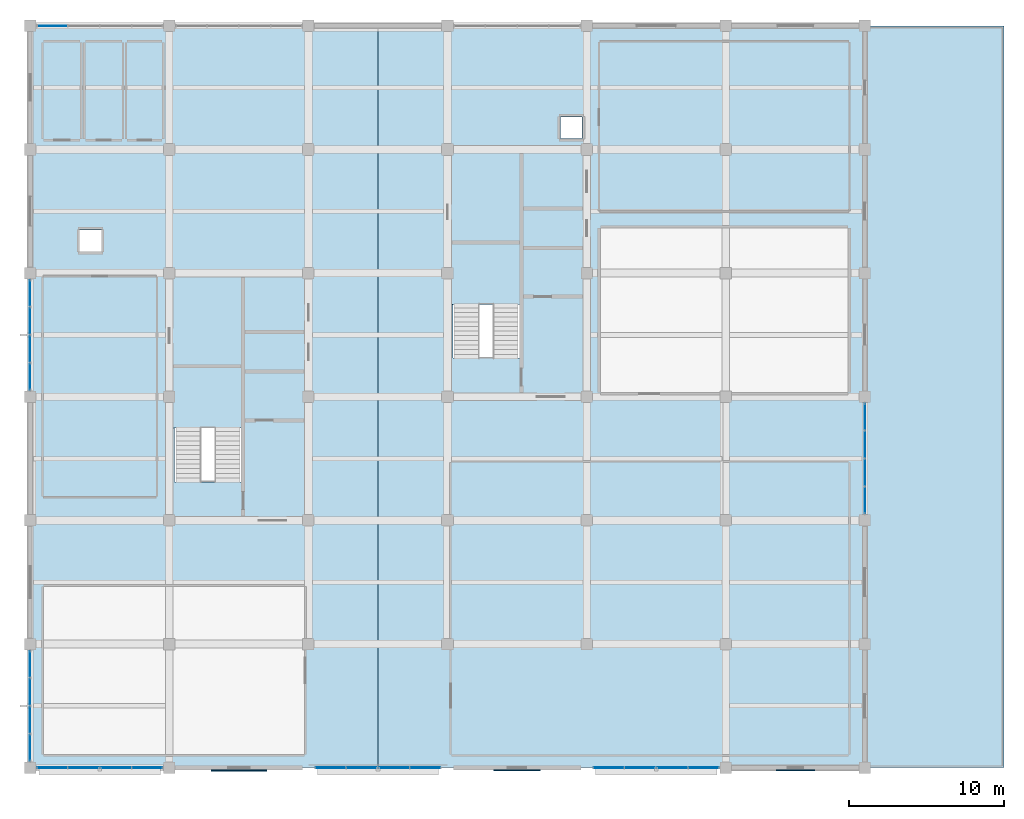
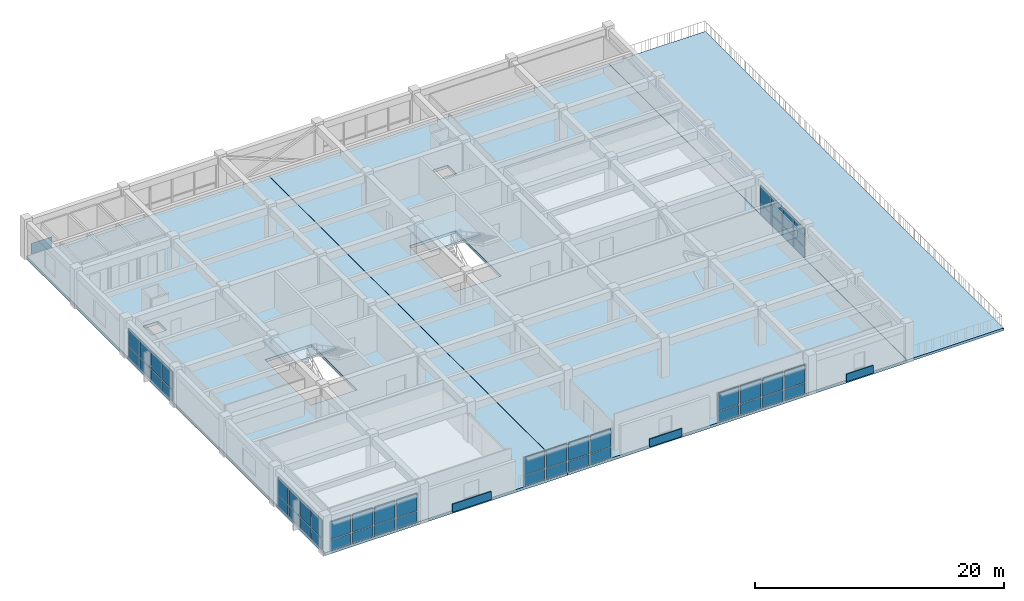
# One storey, part 10 of 15: 52 plates, 5 slabs, 9 elements without a shape of their own.
"""IFC4 building model written with IfcOpenShell, lengths in metres."""

from ifc_helpers import new_model, si_unit, direction, frame, frame_2d, origin, place, context, subcontext, project, spatial, polyline, rectangle, outline, extrude, material, layer, layer_set, type_object, element, aggregate, save


model = new_model("IFC4")

# Units and contexts
model_context = context("Model", 3, precision=1e-05, world=origin(), true_north=direction((0.0, 1.0)))
body_context = subcontext(model_context, "Body", "Model", "MODEL_VIEW")
ifc_project = project(units=[si_unit("LENGTHUNIT", "METRE"), si_unit("AREAUNIT", "SQUARE_METRE"), si_unit("VOLUMEUNIT", "CUBIC_METRE"), si_unit("PLANEANGLEUNIT", "RADIAN"), si_unit("MASSUNIT", "GRAM", prefix="KILO")], contexts=[model_context])

# Site, building, storey
site_placement = place(None, origin())
site = spatial("IfcSite", under=ifc_project, at=site_placement, CompositionType="ELEMENT")
building_placement = place(site_placement, origin())
building = spatial("IfcBuilding", under=site, at=building_placement, Name="Zaverband Oceanarium and Marine Research Institute", CompositionType="ELEMENT")
storey_placement = place(building_placement, frame((0.0, 0.0, 45.300048828125)))
storey = spatial("IfcBuildingStorey", under=building, at=storey_placement, Name="L11", CompositionType="ELEMENT", Elevation=45.300048828125)

# Curtain wall, plates
ifc_material_1 = material(Name="Thermally broken anodized aluminium and solar-control glass", Category="aluminium")
curtain_wall_type = type_object("IfcCurtainWallType", Name="CW-UNIT-1800", PredefinedType="NOTDEFINED", material=ifc_material_1)
curtain_wall_1_placement = place(storey_placement, origin())
curtain_wall_1 = element("IfcCurtainWall", 1, at=curtain_wall_1_placement, inside=storey, type_object=curtain_wall_type, Name="Unitised glazed curtain wall CW-127", PredefinedType="NOTDEFINED")
ifc_material_2 = material(Name="Low-E double-glazed solar-control glass", Category="glass")
ifc_layer_1 = layer(ifc_material_2, 0.033935546875, Name="Low-E double-glazed solar-control glass")
ifc_layer_set_1 = layer_set([ifc_layer_1], Name="Low-E double-glazed solar-control glass")
plate_type_1 = type_object("IfcPlateType", Name="CWP-1570x1043", PredefinedType="CURTAIN_PANEL", material=ifc_layer_set_1)
plate_1_placement = place(storey_placement, frame((9.0, 64.4599609375, 0.050048828125), z_axis=(0.0, 0.0, 1.0), x_axis=(0.0, 1.0, 0.0)))
plate_1 = element("IfcPlate", 2, at=plate_1_placement, type_object=plate_type_1, Name="Glazed curtain wall panel CWP-1570x1043", PredefinedType="CURTAIN_PANEL", context=body_context, shape_type="SweptSolid", body=[
    extrude(rectangle(XDim=1.650146484375, YDim=0.033935546875, at=frame_2d((0.8251953125, 0.0))), origin(), (0.0, 0.0, 1.0), 1.031982421875),
])
plate_2_placement = place(storey_placement, frame((9.0, 66.27001953125, 0.050048828125), z_axis=(0.0, 0.0, 1.0), x_axis=(0.0, 1.0, 0.0)))
plate_2 = element("IfcPlate", 3, at=plate_2_placement, type_object=plate_type_1, Name="Glazed curtain wall panel CWP-1570x1043", PredefinedType="CURTAIN_PANEL", context=body_context, shape_type="SweptSolid", body=[
    extrude(rectangle(XDim=1.64990234375, YDim=0.033935546875, at=frame_2d((0.824951171875, 0.0))), origin(), (0.0, 0.0, 1.0), 1.031982421875),
])
plate_3_placement = place(storey_placement, frame((9.0, 68.080078125, 0.050048828125), z_axis=(0.0, 0.0, 1.0), x_axis=(0.0, 1.0, 0.0)))
plate_3 = element("IfcPlate", 4, at=plate_3_placement, type_object=plate_type_1, Name="Glazed curtain wall panel CWP-1570x1043", PredefinedType="CURTAIN_PANEL", context=body_context, shape_type="SweptSolid", body=[
    extrude(rectangle(XDim=1.64990234375, YDim=0.033935546875, at=frame_2d((0.824951171875, 0.0))), origin(), (0.0, 0.0, 1.0), 1.031982421875),
])
plate_4_placement = place(storey_placement, frame((9.0, 69.889892578125, 0.050048828125), z_axis=(0.0, 0.0, 1.0), x_axis=(0.0, 1.0, 0.0)))
plate_4 = element("IfcPlate", 5, at=plate_4_placement, type_object=plate_type_1, Name="Glazed curtain wall panel CWP-1570x1043", PredefinedType="CURTAIN_PANEL", context=body_context, shape_type="SweptSolid", body=[
    extrude(rectangle(XDim=1.650146484375, YDim=0.033935546875, at=frame_2d((0.8251953125, 0.0))), origin(), (0.0, 0.0, 1.0), 1.031982421875),
])

curtain_wall_2_placement = place(storey_placement, origin())
curtain_wall_2 = element("IfcCurtainWall", 6, at=curtain_wall_2_placement, inside=storey, type_object=curtain_wall_type, Name="Unitised glazed curtain wall CW-128", PredefinedType="NOTDEFINED")
plate_5_placement = place(storey_placement, frame((9.0, 88.4599609375, 0.050048828125), z_axis=(0.0, 0.0, 1.0), x_axis=(0.0, 1.0, 0.0)))
plate_5 = element("IfcPlate", 7, at=plate_5_placement, type_object=plate_type_1, Name="Glazed curtain wall panel CWP-1570x1043", PredefinedType="CURTAIN_PANEL", context=body_context, shape_type="SweptSolid", body=[
    extrude(rectangle(XDim=1.650146484375, YDim=0.033935546875, at=frame_2d((0.8251953125, 0.0))), origin(), (0.0, 0.0, 1.0), 1.031982421875),
])
plate_6_placement = place(storey_placement, frame((9.0, 90.27001953125, 0.050048828125), z_axis=(0.0, 0.0, 1.0), x_axis=(0.0, 1.0, 0.0)))
plate_6 = element("IfcPlate", 8, at=plate_6_placement, type_object=plate_type_1, Name="Glazed curtain wall panel CWP-1570x1043", PredefinedType="CURTAIN_PANEL", context=body_context, shape_type="SweptSolid", body=[
    extrude(rectangle(XDim=1.64990234375, YDim=0.033935546875, at=frame_2d((0.824951171875, 0.0))), origin(), (0.0, 0.0, 1.0), 1.031982421875),
])
plate_7_placement = place(storey_placement, frame((9.0, 92.080078125, 0.050048828125), z_axis=(0.0, 0.0, 1.0), x_axis=(0.0, 1.0, 0.0)))
plate_7 = element("IfcPlate", 9, at=plate_7_placement, type_object=plate_type_1, Name="Glazed curtain wall panel CWP-1570x1043", PredefinedType="CURTAIN_PANEL", context=body_context, shape_type="SweptSolid", body=[
    extrude(rectangle(XDim=1.64990234375, YDim=0.033935546875, at=frame_2d((0.824951171875, 0.0))), origin(), (0.0, 0.0, 1.0), 1.031982421875),
])
plate_8_placement = place(storey_placement, frame((9.0, 93.889892578125, 0.050048828125), z_axis=(0.0, 0.0, 1.0), x_axis=(0.0, 1.0, 0.0)))
plate_8 = element("IfcPlate", 10, at=plate_8_placement, type_object=plate_type_1, Name="Glazed curtain wall panel CWP-1570x1043", PredefinedType="CURTAIN_PANEL", context=body_context, shape_type="SweptSolid", body=[
    extrude(rectangle(XDim=1.650146484375, YDim=0.033935546875, at=frame_2d((0.8251953125, 0.0))), origin(), (0.0, 0.0, 1.0), 1.031982421875),
])

curtain_wall_3_placement = place(storey_placement, origin())
curtain_wall_3 = element("IfcCurtainWall", 11, at=curtain_wall_3_placement, inside=storey, type_object=curtain_wall_type, Name="Unitised glazed curtain wall CW-129", PredefinedType="NOTDEFINED")
plate_9_placement = place(storey_placement, frame((63.0, 80.4599609375, 0.050048828125), z_axis=(0.0, 0.0, 1.0), x_axis=(0.0, 1.0, 0.0)))
plate_9 = element("IfcPlate", 12, at=plate_9_placement, type_object=plate_type_1, Name="Glazed curtain wall panel CWP-1570x1043", PredefinedType="CURTAIN_PANEL", context=body_context, shape_type="SweptSolid", body=[
    extrude(rectangle(XDim=1.650146484375, YDim=0.033935546875, at=frame_2d((0.8251953125, 0.0))), origin(), (0.0, 0.0, 1.0), 1.031982421875),
])
plate_10_placement = place(storey_placement, frame((63.0, 82.27001953125, 0.050048828125), z_axis=(0.0, 0.0, 1.0), x_axis=(0.0, 1.0, 0.0)))
plate_10 = element("IfcPlate", 13, at=plate_10_placement, type_object=plate_type_1, Name="Glazed curtain wall panel CWP-1570x1043", PredefinedType="CURTAIN_PANEL", context=body_context, shape_type="SweptSolid", body=[
    extrude(rectangle(XDim=1.64990234375, YDim=0.033935546875, at=frame_2d((0.824951171875, 0.0))), origin(), (0.0, 0.0, 1.0), 1.031982421875),
])
plate_11_placement = place(storey_placement, frame((63.0, 84.080078125, 0.050048828125), z_axis=(0.0, 0.0, 1.0), x_axis=(0.0, 1.0, 0.0)))
plate_11 = element("IfcPlate", 14, at=plate_11_placement, type_object=plate_type_1, Name="Glazed curtain wall panel CWP-1570x1043", PredefinedType="CURTAIN_PANEL", context=body_context, shape_type="SweptSolid", body=[
    extrude(rectangle(XDim=1.64990234375, YDim=0.033935546875, at=frame_2d((0.824951171875, 0.0))), origin(), (0.0, 0.0, 1.0), 1.031982421875),
])
plate_12_placement = place(storey_placement, frame((63.0, 85.889892578125, 0.050048828125), z_axis=(0.0, 0.0, 1.0), x_axis=(0.0, 1.0, 0.0)))
plate_12 = element("IfcPlate", 15, at=plate_12_placement, type_object=plate_type_1, Name="Glazed curtain wall panel CWP-1570x1043", PredefinedType="CURTAIN_PANEL", context=body_context, shape_type="SweptSolid", body=[
    extrude(rectangle(XDim=1.650146484375, YDim=0.033935546875, at=frame_2d((0.8251953125, 0.0))), origin(), (0.0, 0.0, 1.0), 1.031982421875),
])

# Plate
ifc_layer_2 = layer(ifc_material_2, 0.035888671875, Name="Low-E double-glazed solar-control glass")
ifc_layer_set_2 = layer_set([ifc_layer_2], Name="Low-E double-glazed solar-control glass")
plate_type_2 = type_object("IfcPlateType", Name="CWP-1570x1777", PredefinedType="CURTAIN_PANEL", material=ifc_layer_set_2)
plate_13_placement = place(storey_placement, frame((9.0, 64.4599609375, 1.15185546875), z_axis=(0.0, 0.0, 1.0), x_axis=(0.0, 1.0, 0.0)))
plate_13 = element("IfcPlate", 16, at=plate_13_placement, type_object=plate_type_2, Name="Glazed curtain wall panel CWP-1570x1777", PredefinedType="CURTAIN_PANEL", context=body_context, shape_type="SweptSolid", body=[
    extrude(rectangle(XDim=1.650146484375, YDim=0.035888671875, at=frame_2d((0.8251953125, 0.0))), origin(), (0.0, 0.0, 1.0), 1.758056640625),
])

plate_14_placement = place(storey_placement, frame((9.0, 66.27001953125, 1.15185546875), z_axis=(0.0, 0.0, 1.0), x_axis=(0.0, 1.0, 0.0)))
plate_14 = element("IfcPlate", 17, at=plate_14_placement, type_object=plate_type_2, Name="Glazed curtain wall panel CWP-1570x1777", PredefinedType="CURTAIN_PANEL", context=body_context, shape_type="SweptSolid", body=[
    extrude(rectangle(XDim=1.64990234375, YDim=0.035888671875, at=frame_2d((0.824951171875, 0.0))), origin(), (0.0, 0.0, 1.0), 1.758056640625),
])

plate_15_placement = place(storey_placement, frame((9.0, 68.080078125, 1.15185546875), z_axis=(0.0, 0.0, 1.0), x_axis=(0.0, 1.0, 0.0)))
plate_15 = element("IfcPlate", 18, at=plate_15_placement, type_object=plate_type_2, Name="Glazed curtain wall panel CWP-1570x1777", PredefinedType="CURTAIN_PANEL", context=body_context, shape_type="SweptSolid", body=[
    extrude(rectangle(XDim=1.64990234375, YDim=0.035888671875, at=frame_2d((0.824951171875, 0.0))), origin(), (0.0, 0.0, 1.0), 1.758056640625),
])

plate_16_placement = place(storey_placement, frame((9.0, 69.889892578125, 1.15185546875), z_axis=(0.0, 0.0, 1.0), x_axis=(0.0, 1.0, 0.0)))
plate_16 = element("IfcPlate", 19, at=plate_16_placement, type_object=plate_type_2, Name="Glazed curtain wall panel CWP-1570x1777", PredefinedType="CURTAIN_PANEL", context=body_context, shape_type="SweptSolid", body=[
    extrude(rectangle(XDim=1.650146484375, YDim=0.035888671875, at=frame_2d((0.8251953125, 0.0))), origin(), (0.0, 0.0, 1.0), 1.758056640625),
])

aggregate(curtain_wall_1, [plate_1, plate_13, plate_2, plate_14, plate_3, plate_15, plate_4, plate_16])

plate_17_placement = place(storey_placement, frame((9.0, 88.4599609375, 1.15185546875), z_axis=(0.0, 0.0, 1.0), x_axis=(0.0, 1.0, 0.0)))
plate_17 = element("IfcPlate", 20, at=plate_17_placement, type_object=plate_type_2, Name="Glazed curtain wall panel CWP-1570x1777", PredefinedType="CURTAIN_PANEL", context=body_context, shape_type="SweptSolid", body=[
    extrude(rectangle(XDim=1.650146484375, YDim=0.035888671875, at=frame_2d((0.8251953125, 0.0))), origin(), (0.0, 0.0, 1.0), 1.758056640625),
])

plate_18_placement = place(storey_placement, frame((9.0, 90.27001953125, 1.15185546875), z_axis=(0.0, 0.0, 1.0), x_axis=(0.0, 1.0, 0.0)))
plate_18 = element("IfcPlate", 21, at=plate_18_placement, type_object=plate_type_2, Name="Glazed curtain wall panel CWP-1570x1777", PredefinedType="CURTAIN_PANEL", context=body_context, shape_type="SweptSolid", body=[
    extrude(rectangle(XDim=1.64990234375, YDim=0.035888671875, at=frame_2d((0.824951171875, 0.0))), origin(), (0.0, 0.0, 1.0), 1.758056640625),
])

plate_19_placement = place(storey_placement, frame((9.0, 92.080078125, 1.15185546875), z_axis=(0.0, 0.0, 1.0), x_axis=(0.0, 1.0, 0.0)))
plate_19 = element("IfcPlate", 22, at=plate_19_placement, type_object=plate_type_2, Name="Glazed curtain wall panel CWP-1570x1777", PredefinedType="CURTAIN_PANEL", context=body_context, shape_type="SweptSolid", body=[
    extrude(rectangle(XDim=1.64990234375, YDim=0.035888671875, at=frame_2d((0.824951171875, 0.0))), origin(), (0.0, 0.0, 1.0), 1.758056640625),
])

plate_20_placement = place(storey_placement, frame((9.0, 93.889892578125, 1.15185546875), z_axis=(0.0, 0.0, 1.0), x_axis=(0.0, 1.0, 0.0)))
plate_20 = element("IfcPlate", 23, at=plate_20_placement, type_object=plate_type_2, Name="Glazed curtain wall panel CWP-1570x1777", PredefinedType="CURTAIN_PANEL", context=body_context, shape_type="SweptSolid", body=[
    extrude(rectangle(XDim=1.650146484375, YDim=0.035888671875, at=frame_2d((0.8251953125, 0.0))), origin(), (0.0, 0.0, 1.0), 1.758056640625),
])

aggregate(curtain_wall_2, [plate_5, plate_17, plate_6, plate_18, plate_7, plate_19, plate_8, plate_20])

plate_21_placement = place(storey_placement, frame((63.0, 80.4599609375, 1.15185546875), z_axis=(0.0, 0.0, 1.0), x_axis=(0.0, 1.0, 0.0)))
plate_21 = element("IfcPlate", 24, at=plate_21_placement, type_object=plate_type_2, Name="Glazed curtain wall panel CWP-1570x1777", PredefinedType="CURTAIN_PANEL", context=body_context, shape_type="SweptSolid", body=[
    extrude(rectangle(XDim=1.650146484375, YDim=0.035888671875, at=frame_2d((0.8251953125, 0.0))), origin(), (0.0, 0.0, 1.0), 1.758056640625),
])

plate_22_placement = place(storey_placement, frame((63.0, 82.27001953125, 1.15185546875), z_axis=(0.0, 0.0, 1.0), x_axis=(0.0, 1.0, 0.0)))
plate_22 = element("IfcPlate", 25, at=plate_22_placement, type_object=plate_type_2, Name="Glazed curtain wall panel CWP-1570x1777", PredefinedType="CURTAIN_PANEL", context=body_context, shape_type="SweptSolid", body=[
    extrude(rectangle(XDim=1.64990234375, YDim=0.035888671875, at=frame_2d((0.824951171875, 0.0))), origin(), (0.0, 0.0, 1.0), 1.758056640625),
])

plate_23_placement = place(storey_placement, frame((63.0, 84.080078125, 1.15185546875), z_axis=(0.0, 0.0, 1.0), x_axis=(0.0, 1.0, 0.0)))
plate_23 = element("IfcPlate", 26, at=plate_23_placement, type_object=plate_type_2, Name="Glazed curtain wall panel CWP-1570x1777", PredefinedType="CURTAIN_PANEL", context=body_context, shape_type="SweptSolid", body=[
    extrude(rectangle(XDim=1.64990234375, YDim=0.035888671875, at=frame_2d((0.824951171875, 0.0))), origin(), (0.0, 0.0, 1.0), 1.758056640625),
])

plate_24_placement = place(storey_placement, frame((63.0, 85.889892578125, 1.15185546875), z_axis=(0.0, 0.0, 1.0), x_axis=(0.0, 1.0, 0.0)))
plate_24 = element("IfcPlate", 27, at=plate_24_placement, type_object=plate_type_2, Name="Glazed curtain wall panel CWP-1570x1777", PredefinedType="CURTAIN_PANEL", context=body_context, shape_type="SweptSolid", body=[
    extrude(rectangle(XDim=1.650146484375, YDim=0.035888671875, at=frame_2d((0.8251953125, 0.0))), origin(), (0.0, 0.0, 1.0), 1.758056640625),
])

aggregate(curtain_wall_3, [plate_9, plate_21, plate_10, plate_22, plate_11, plate_23, plate_12, plate_24])

# Curtain wall, plates
curtain_wall_4_placement = place(storey_placement, origin())
curtain_wall_4 = element("IfcCurtainWall", 28, at=curtain_wall_4_placement, inside=storey, type_object=curtain_wall_type, Name="Unitised glazed curtain wall CW-121", PredefinedType="NOTDEFINED")
ifc_layer_3 = layer(ifc_material_2, 0.033935546875, Name="Low-E double-glazed solar-control glass")
ifc_layer_set_3 = layer_set([ifc_layer_3], Name="Low-E double-glazed solar-control glass")
plate_type_3 = type_object("IfcPlateType", Name="CWP-1820x1043", PredefinedType="CURTAIN_PANEL", material=ifc_layer_set_3)
plate_25_placement = place(storey_placement, frame((9.4599609375, 64.0, 0.050048828125), z_axis=(0.0, 0.0, 1.0), x_axis=(1.0, 0.0, 0.0)))
plate_25 = element("IfcPlate", 29, at=plate_25_placement, type_object=plate_type_3, Name="Glazed curtain wall panel CWP-1820x1043", PredefinedType="CURTAIN_PANEL", context=body_context, shape_type="SweptSolid", body=[
    extrude(rectangle(XDim=1.900146484375, YDim=0.033935546875, at=frame_2d((0.9501953125, 0.0))), origin(), (0.0, 0.0, 1.0), 1.031982421875),
])
plate_26_placement = place(storey_placement, frame((11.52001953125, 64.0, 0.050048828125), z_axis=(0.0, 0.0, 1.0), x_axis=(1.0, 0.0, 0.0)))
plate_26 = element("IfcPlate", 30, at=plate_26_placement, type_object=plate_type_3, Name="Glazed curtain wall panel CWP-1820x1043", PredefinedType="CURTAIN_PANEL", context=body_context, shape_type="SweptSolid", body=[
    extrude(rectangle(XDim=1.89990234375, YDim=0.033935546875, at=frame_2d((0.949951171875, 0.0))), origin(), (0.0, 0.0, 1.0), 1.031982421875),
])
plate_27_placement = place(storey_placement, frame((13.580078125, 64.0, 0.050048828125), z_axis=(0.0, 0.0, 1.0), x_axis=(1.0, 0.0, 0.0)))
plate_27 = element("IfcPlate", 31, at=plate_27_placement, type_object=plate_type_3, Name="Glazed curtain wall panel CWP-1820x1043", PredefinedType="CURTAIN_PANEL", context=body_context, shape_type="SweptSolid", body=[
    extrude(rectangle(XDim=1.89990234375, YDim=0.033935546875, at=frame_2d((0.949951171875, 0.0))), origin(), (0.0, 0.0, 1.0), 1.031982421875),
])
plate_28_placement = place(storey_placement, frame((15.639892578125, 64.0, 0.050048828125), z_axis=(0.0, 0.0, 1.0), x_axis=(1.0, 0.0, 0.0)))
plate_28 = element("IfcPlate", 32, at=plate_28_placement, type_object=plate_type_3, Name="Glazed curtain wall panel CWP-1820x1043", PredefinedType="CURTAIN_PANEL", context=body_context, shape_type="SweptSolid", body=[
    extrude(rectangle(XDim=1.900146484375, YDim=0.033935546875, at=frame_2d((0.9501953125, 0.0))), origin(), (0.0, 0.0, 1.0), 1.031982421875),
])

curtain_wall_5_placement = place(storey_placement, origin())
curtain_wall_5 = element("IfcCurtainWall", 33, at=curtain_wall_5_placement, inside=storey, type_object=curtain_wall_type, Name="Unitised glazed curtain wall CW-122", PredefinedType="NOTDEFINED")
plate_29_placement = place(storey_placement, frame((27.4599609375, 64.0, 0.050048828125), z_axis=(0.0, 0.0, 1.0), x_axis=(1.0, 0.0, 0.0)))
plate_29 = element("IfcPlate", 34, at=plate_29_placement, type_object=plate_type_3, Name="Glazed curtain wall panel CWP-1820x1043", PredefinedType="CURTAIN_PANEL", context=body_context, shape_type="SweptSolid", body=[
    extrude(rectangle(XDim=1.900146484375, YDim=0.033935546875, at=frame_2d((0.9501953125, 0.0))), origin(), (0.0, 0.0, 1.0), 1.031982421875),
])
plate_30_placement = place(storey_placement, frame((29.52001953125, 64.0, 0.050048828125), z_axis=(0.0, 0.0, 1.0), x_axis=(1.0, 0.0, 0.0)))
plate_30 = element("IfcPlate", 35, at=plate_30_placement, type_object=plate_type_3, Name="Glazed curtain wall panel CWP-1820x1043", PredefinedType="CURTAIN_PANEL", context=body_context, shape_type="SweptSolid", body=[
    extrude(rectangle(XDim=1.89990234375, YDim=0.033935546875, at=frame_2d((0.949951171875, 0.0))), origin(), (0.0, 0.0, 1.0), 1.031982421875),
])
plate_31_placement = place(storey_placement, frame((31.580078125, 64.0, 0.050048828125), z_axis=(0.0, 0.0, 1.0), x_axis=(1.0, 0.0, 0.0)))
plate_31 = element("IfcPlate", 36, at=plate_31_placement, type_object=plate_type_3, Name="Glazed curtain wall panel CWP-1820x1043", PredefinedType="CURTAIN_PANEL", context=body_context, shape_type="SweptSolid", body=[
    extrude(rectangle(XDim=1.89990234375, YDim=0.033935546875, at=frame_2d((0.949951171875, 0.0))), origin(), (0.0, 0.0, 1.0), 1.031982421875),
])
plate_32_placement = place(storey_placement, frame((33.639892578125, 64.0, 0.050048828125), z_axis=(0.0, 0.0, 1.0), x_axis=(1.0, 0.0, 0.0)))
plate_32 = element("IfcPlate", 37, at=plate_32_placement, type_object=plate_type_3, Name="Glazed curtain wall panel CWP-1820x1043", PredefinedType="CURTAIN_PANEL", context=body_context, shape_type="SweptSolid", body=[
    extrude(rectangle(XDim=1.900146484375, YDim=0.033935546875, at=frame_2d((0.9501953125, 0.0))), origin(), (0.0, 0.0, 1.0), 1.031982421875),
])

curtain_wall_6_placement = place(storey_placement, origin())
curtain_wall_6 = element("IfcCurtainWall", 38, at=curtain_wall_6_placement, inside=storey, type_object=curtain_wall_type, Name="Unitised glazed curtain wall CW-123", PredefinedType="NOTDEFINED")
plate_33_placement = place(storey_placement, frame((45.4599609375, 64.0, 0.050048828125), z_axis=(0.0, 0.0, 1.0), x_axis=(1.0, 0.0, 0.0)))
plate_33 = element("IfcPlate", 39, at=plate_33_placement, type_object=plate_type_3, Name="Glazed curtain wall panel CWP-1820x1043", PredefinedType="CURTAIN_PANEL", context=body_context, shape_type="SweptSolid", body=[
    extrude(rectangle(XDim=1.900146484375, YDim=0.033935546875, at=frame_2d((0.9501953125, 0.0))), origin(), (0.0, 0.0, 1.0), 1.031982421875),
])
plate_34_placement = place(storey_placement, frame((47.52001953125, 64.0, 0.050048828125), z_axis=(0.0, 0.0, 1.0), x_axis=(1.0, 0.0, 0.0)))
plate_34 = element("IfcPlate", 40, at=plate_34_placement, type_object=plate_type_3, Name="Glazed curtain wall panel CWP-1820x1043", PredefinedType="CURTAIN_PANEL", context=body_context, shape_type="SweptSolid", body=[
    extrude(rectangle(XDim=1.89990234375, YDim=0.033935546875, at=frame_2d((0.949951171875, 0.0))), origin(), (0.0, 0.0, 1.0), 1.031982421875),
])
plate_35_placement = place(storey_placement, frame((49.580078125, 64.0, 0.050048828125), z_axis=(0.0, 0.0, 1.0), x_axis=(1.0, 0.0, 0.0)))
plate_35 = element("IfcPlate", 41, at=plate_35_placement, type_object=plate_type_3, Name="Glazed curtain wall panel CWP-1820x1043", PredefinedType="CURTAIN_PANEL", context=body_context, shape_type="SweptSolid", body=[
    extrude(rectangle(XDim=1.89990234375, YDim=0.033935546875, at=frame_2d((0.949951171875, 0.0))), origin(), (0.0, 0.0, 1.0), 1.031982421875),
])
plate_36_placement = place(storey_placement, frame((51.639892578125, 64.0, 0.050048828125), z_axis=(0.0, 0.0, 1.0), x_axis=(1.0, 0.0, 0.0)))
plate_36 = element("IfcPlate", 42, at=plate_36_placement, type_object=plate_type_3, Name="Glazed curtain wall panel CWP-1820x1043", PredefinedType="CURTAIN_PANEL", context=body_context, shape_type="SweptSolid", body=[
    extrude(rectangle(XDim=1.900146484375, YDim=0.033935546875, at=frame_2d((0.9501953125, 0.0))), origin(), (0.0, 0.0, 1.0), 1.031982421875),
])

# Curtain wall, plate
curtain_wall_7_placement = place(storey_placement, origin())
curtain_wall_7 = element("IfcCurtainWall", 43, at=curtain_wall_7_placement, inside=storey, type_object=curtain_wall_type, Name="Unitised glazed curtain wall CW-124", PredefinedType="NOTDEFINED")
plate_37_placement = place(storey_placement, frame((9.4599609375, 112.0, 0.050048828125), z_axis=(0.0, 0.0, 1.0), x_axis=(1.0, 0.0, 0.0)))
plate_37 = element("IfcPlate", 44, at=plate_37_placement, type_object=plate_type_3, Name="Glazed curtain wall panel CWP-1820x1043", PredefinedType="CURTAIN_PANEL", context=body_context, shape_type="SweptSolid", body=[
    extrude(rectangle(XDim=1.900146484375, YDim=0.033935546875, at=frame_2d((0.9501953125, 0.0))), origin(), (0.0, 0.0, 1.0), 1.031982421875),
])
aggregate(curtain_wall_7, [plate_37])

# Plate
ifc_layer_4 = layer(ifc_material_2, 0.035888671875, Name="Low-E double-glazed solar-control glass")
ifc_layer_set_4 = layer_set([ifc_layer_4], Name="Low-E double-glazed solar-control glass")
plate_type_4 = type_object("IfcPlateType", Name="CWP-1820x1777", PredefinedType="CURTAIN_PANEL", material=ifc_layer_set_4)
plate_38_placement = place(storey_placement, frame((9.4599609375, 64.0, 1.15185546875), z_axis=(0.0, 0.0, 1.0), x_axis=(1.0, 0.0, 0.0)))
plate_38 = element("IfcPlate", 45, at=plate_38_placement, type_object=plate_type_4, Name="Glazed curtain wall panel CWP-1820x1777", PredefinedType="CURTAIN_PANEL", context=body_context, shape_type="SweptSolid", body=[
    extrude(rectangle(XDim=1.900146484375, YDim=0.035888671875, at=frame_2d((0.9501953125, 0.0))), origin(), (0.0, 0.0, 1.0), 1.758056640625),
])

plate_39_placement = place(storey_placement, frame((11.52001953125, 64.0, 1.15185546875), z_axis=(0.0, 0.0, 1.0), x_axis=(1.0, 0.0, 0.0)))
plate_39 = element("IfcPlate", 46, at=plate_39_placement, type_object=plate_type_4, Name="Glazed curtain wall panel CWP-1820x1777", PredefinedType="CURTAIN_PANEL", context=body_context, shape_type="SweptSolid", body=[
    extrude(rectangle(XDim=1.89990234375, YDim=0.035888671875, at=frame_2d((0.949951171875, 0.0))), origin(), (0.0, 0.0, 1.0), 1.758056640625),
])

plate_40_placement = place(storey_placement, frame((13.580078125, 64.0, 1.15185546875), z_axis=(0.0, 0.0, 1.0), x_axis=(1.0, 0.0, 0.0)))
plate_40 = element("IfcPlate", 47, at=plate_40_placement, type_object=plate_type_4, Name="Glazed curtain wall panel CWP-1820x1777", PredefinedType="CURTAIN_PANEL", context=body_context, shape_type="SweptSolid", body=[
    extrude(rectangle(XDim=1.89990234375, YDim=0.035888671875, at=frame_2d((0.949951171875, 0.0))), origin(), (0.0, 0.0, 1.0), 1.758056640625),
])

plate_41_placement = place(storey_placement, frame((15.639892578125, 64.0, 1.15185546875), z_axis=(0.0, 0.0, 1.0), x_axis=(1.0, 0.0, 0.0)))
plate_41 = element("IfcPlate", 48, at=plate_41_placement, type_object=plate_type_4, Name="Glazed curtain wall panel CWP-1820x1777", PredefinedType="CURTAIN_PANEL", context=body_context, shape_type="SweptSolid", body=[
    extrude(rectangle(XDim=1.900146484375, YDim=0.035888671875, at=frame_2d((0.9501953125, 0.0))), origin(), (0.0, 0.0, 1.0), 1.758056640625),
])

aggregate(curtain_wall_4, [plate_25, plate_38, plate_26, plate_39, plate_27, plate_40, plate_28, plate_41])

plate_42_placement = place(storey_placement, frame((27.4599609375, 64.0, 1.15185546875), z_axis=(0.0, 0.0, 1.0), x_axis=(1.0, 0.0, 0.0)))
plate_42 = element("IfcPlate", 49, at=plate_42_placement, type_object=plate_type_4, Name="Glazed curtain wall panel CWP-1820x1777", PredefinedType="CURTAIN_PANEL", context=body_context, shape_type="SweptSolid", body=[
    extrude(rectangle(XDim=1.900146484375, YDim=0.035888671875, at=frame_2d((0.9501953125, 0.0))), origin(), (0.0, 0.0, 1.0), 1.758056640625),
])

plate_43_placement = place(storey_placement, frame((29.52001953125, 64.0, 1.15185546875), z_axis=(0.0, 0.0, 1.0), x_axis=(1.0, 0.0, 0.0)))
plate_43 = element("IfcPlate", 50, at=plate_43_placement, type_object=plate_type_4, Name="Glazed curtain wall panel CWP-1820x1777", PredefinedType="CURTAIN_PANEL", context=body_context, shape_type="SweptSolid", body=[
    extrude(rectangle(XDim=1.89990234375, YDim=0.035888671875, at=frame_2d((0.949951171875, 0.0))), origin(), (0.0, 0.0, 1.0), 1.758056640625),
])

plate_44_placement = place(storey_placement, frame((31.580078125, 64.0, 1.15185546875), z_axis=(0.0, 0.0, 1.0), x_axis=(1.0, 0.0, 0.0)))
plate_44 = element("IfcPlate", 51, at=plate_44_placement, type_object=plate_type_4, Name="Glazed curtain wall panel CWP-1820x1777", PredefinedType="CURTAIN_PANEL", context=body_context, shape_type="SweptSolid", body=[
    extrude(rectangle(XDim=1.89990234375, YDim=0.035888671875, at=frame_2d((0.949951171875, 0.0))), origin(), (0.0, 0.0, 1.0), 1.758056640625),
])

plate_45_placement = place(storey_placement, frame((33.639892578125, 64.0, 1.15185546875), z_axis=(0.0, 0.0, 1.0), x_axis=(1.0, 0.0, 0.0)))
plate_45 = element("IfcPlate", 52, at=plate_45_placement, type_object=plate_type_4, Name="Glazed curtain wall panel CWP-1820x1777", PredefinedType="CURTAIN_PANEL", context=body_context, shape_type="SweptSolid", body=[
    extrude(rectangle(XDim=1.900146484375, YDim=0.035888671875, at=frame_2d((0.9501953125, 0.0))), origin(), (0.0, 0.0, 1.0), 1.758056640625),
])

aggregate(curtain_wall_5, [plate_29, plate_42, plate_30, plate_43, plate_31, plate_44, plate_32, plate_45])

plate_46_placement = place(storey_placement, frame((45.4599609375, 64.0, 1.15185546875), z_axis=(0.0, 0.0, 1.0), x_axis=(1.0, 0.0, 0.0)))
plate_46 = element("IfcPlate", 53, at=plate_46_placement, type_object=plate_type_4, Name="Glazed curtain wall panel CWP-1820x1777", PredefinedType="CURTAIN_PANEL", context=body_context, shape_type="SweptSolid", body=[
    extrude(rectangle(XDim=1.900146484375, YDim=0.035888671875, at=frame_2d((0.9501953125, 0.0))), origin(), (0.0, 0.0, 1.0), 1.758056640625),
])

plate_47_placement = place(storey_placement, frame((47.52001953125, 64.0, 1.15185546875), z_axis=(0.0, 0.0, 1.0), x_axis=(1.0, 0.0, 0.0)))
plate_47 = element("IfcPlate", 54, at=plate_47_placement, type_object=plate_type_4, Name="Glazed curtain wall panel CWP-1820x1777", PredefinedType="CURTAIN_PANEL", context=body_context, shape_type="SweptSolid", body=[
    extrude(rectangle(XDim=1.89990234375, YDim=0.035888671875, at=frame_2d((0.949951171875, 0.0))), origin(), (0.0, 0.0, 1.0), 1.758056640625),
])

plate_48_placement = place(storey_placement, frame((49.580078125, 64.0, 1.15185546875), z_axis=(0.0, 0.0, 1.0), x_axis=(1.0, 0.0, 0.0)))
plate_48 = element("IfcPlate", 55, at=plate_48_placement, type_object=plate_type_4, Name="Glazed curtain wall panel CWP-1820x1777", PredefinedType="CURTAIN_PANEL", context=body_context, shape_type="SweptSolid", body=[
    extrude(rectangle(XDim=1.89990234375, YDim=0.035888671875, at=frame_2d((0.949951171875, 0.0))), origin(), (0.0, 0.0, 1.0), 1.758056640625),
])

plate_49_placement = place(storey_placement, frame((51.639892578125, 64.0, 1.15185546875), z_axis=(0.0, 0.0, 1.0), x_axis=(1.0, 0.0, 0.0)))
plate_49 = element("IfcPlate", 56, at=plate_49_placement, type_object=plate_type_4, Name="Glazed curtain wall panel CWP-1820x1777", PredefinedType="CURTAIN_PANEL", context=body_context, shape_type="SweptSolid", body=[
    extrude(rectangle(XDim=1.900146484375, YDim=0.035888671875, at=frame_2d((0.9501953125, 0.0))), origin(), (0.0, 0.0, 1.0), 1.758056640625),
])

aggregate(curtain_wall_6, [plate_33, plate_46, plate_34, plate_47, plate_35, plate_48, plate_36, plate_49])

# Plates
ifc_material_3 = material(Name="Concrete C40/50 precast ochre", Category="concrete")
ifc_layer_5 = layer(ifc_material_3, 0.074951171875, Name="Concrete C40/50 precast ochre")
ifc_layer_set_5 = layer_set([ifc_layer_5], Name="Concrete C40/50 precast ochre")
plate_type_5 = type_object("IfcPlateType", Name="FRP-2500x750", PredefinedType="USERDEFINED", material=ifc_layer_set_5)
plate_50_placement = place(storey_placement, frame((57.25, 63.83251953125, 0.0), z_axis=(0.0, 0.0, 1.0), x_axis=(1.0, 0.0, 0.0)))
element("IfcPlate", 57, at=plate_50_placement, inside=storey, type_object=plate_type_5, Name="Geometric precast facade cladding panel FRP-2500x750", ObjectType="FLANGE_PLATE", PredefinedType="USERDEFINED", context=body_context, shape_type="SweptSolid", body=[
    extrude(rectangle(XDim=2.5, YDim=0.074951171875, at=frame_2d((1.25, 0.0))), origin(), (0.0, 0.0, 1.0), 0.75),
])
ifc_layer_6 = layer(ifc_material_3, 0.080078125, Name="Concrete C40/50 precast ochre")
ifc_layer_set_6 = layer_set([ifc_layer_6], Name="Concrete C40/50 precast ochre")
plate_type_6 = type_object("IfcPlateType", Name="FRP-3000x780", PredefinedType="USERDEFINED", material=ifc_layer_set_6)
plate_51_placement = place(storey_placement, frame((39.0, 63.830078125, 0.0), z_axis=(0.0, 0.0, 1.0), x_axis=(1.0, 0.0, 0.0)))
element("IfcPlate", 58, at=plate_51_placement, inside=storey, type_object=plate_type_6, Name="Geometric precast facade cladding panel FRP-3000x780", ObjectType="FLANGE_PLATE", PredefinedType="USERDEFINED", context=body_context, shape_type="SweptSolid", body=[
    extrude(rectangle(XDim=3.0, YDim=0.080078125, at=frame_2d((1.5, 0.0))), origin(), (0.0, 0.0, 1.0), 0.780029296875),
])
ifc_layer_7 = layer(ifc_material_3, 0.0849609375, Name="Concrete C40/50 precast ochre")
ifc_layer_set_7 = layer_set([ifc_layer_7], Name="Concrete C40/50 precast ochre")
plate_type_7 = type_object("IfcPlateType", Name="FRP-3600x800", PredefinedType="USERDEFINED", material=ifc_layer_set_7)
plate_52_placement = place(storey_placement, frame((20.699951171875, 63.827392578125, 0.0), z_axis=(0.0, 0.0, 1.0), x_axis=(1.0, 0.0, 0.0)))
element("IfcPlate", 59, at=plate_52_placement, inside=storey, type_object=plate_type_7, Name="Geometric precast facade cladding panel FRP-3600x800", ObjectType="FLANGE_PLATE", PredefinedType="USERDEFINED", context=body_context, shape_type="SweptSolid", body=[
    extrude(rectangle(XDim=3.60009765625, YDim=0.0849609375, at=frame_2d((1.800048828125, 0.0))), origin(), (0.0, 0.0, 1.0), 0.800048828125),
])

# Slabs
ifc_material_4 = material(Name="Concrete C40/50", Category="concrete")
ifc_layer_8 = layer(ifc_material_4, 0.280029296875, Name="Concrete C40/50")
ifc_layer_set_8 = layer_set([ifc_layer_8], Name="Concrete C40/50")
slab_type_1 = type_object("IfcSlabType", Name="SLB-ARC-280", PredefinedType="FLOOR", material=ifc_layer_set_8)
slab_1_placement = place(storey_placement, frame((0.0, 0.0, -0.280029296875)))
element("IfcSlab", 60, at=slab_1_placement, inside=storey, type_object=slab_type_1, Name="Suspended floor slab SLB-ARC-280", PredefinedType="FLOOR", context=body_context, shape_type="SweptSolid", body=[
    extrude(outline(polyline([(9.0, 112.0), (31.485107421875, 112.0), (31.485107421875, 64.0), (9.0, 64.0), (9.0, 112.0)]), holes=[polyline([(18.35009765625, 89.85009765625), (18.35009765625, 82.5), (22.64990234375, 82.5), (22.64990234375, 89.85009765625), (18.35009765625, 89.85009765625)]), polyline([(12.199951171875, 98.800048828125), (12.199951171875, 97.39990234375), (13.60009765625, 97.39990234375), (13.60009765625, 98.800048828125), (12.199951171875, 98.800048828125)])]), origin(), (0.0, 0.0, 1.0), 0.280029296875),
])
slab_2_placement = place(storey_placement, frame((0.0, 0.0, -0.280029296875)))
element("IfcSlab", 61, at=slab_2_placement, inside=storey, type_object=slab_type_1, Name="Suspended floor slab SLB-ARC-280", PredefinedType="FLOOR", context=body_context, shape_type="SweptSolid", body=[
    extrude(outline(polyline([(31.514892578125, 112.0), (63.0, 112.0), (63.0, 64.0), (31.514892578125, 64.0), (31.514892578125, 112.0)]), holes=[polyline([(36.35009765625, 97.85009765625), (36.35009765625, 90.5), (40.64990234375, 90.5), (40.64990234375, 97.85009765625), (36.35009765625, 97.85009765625)]), polyline([(43.300048828125, 106.10009765625), (43.300048828125, 104.699951171875), (44.699951171875, 104.699951171875), (44.699951171875, 106.10009765625), (43.300048828125, 106.10009765625)])]), origin(), (0.0, 0.0, 1.0), 0.280029296875),
])

# Stair, slab
stair_type = type_object("IfcStairType", Name="STR-TWR-1650-3900", PredefinedType="HALF_TURN_STAIR", material=ifc_material_4)
stair_1_placement = place(storey_placement, origin())
stair_1 = element("IfcStair", 62, at=stair_1_placement, inside=storey, type_object=stair_type, Name="Exit Stair ST-01 (L11)", PredefinedType="HALF_TURN_STAIR")
ifc_layer_9 = layer(ifc_material_4, 0.199951171875, Name="Concrete C40/50")
ifc_layer_set_9 = layer_set([ifc_layer_9], Name="Concrete C40/50")
slab_type_2 = type_object("IfcSlabType", Name="SLB-LND-200", PredefinedType="LANDING", material=ifc_layer_set_9)
slab_3_placement = place(storey_placement, frame((0.0, 0.0, 1.75)))
slab_3 = element("IfcSlab", 63, at=slab_3_placement, type_object=slab_type_2, Name="Stair / ramp landing slab SLB-LND-200", PredefinedType="LANDING", context=body_context, shape_type="SweptSolid", body=[
    extrude(outline(polyline([(18.139892578125, 85.969970703125), (22.735107421875, 85.969970703125), (22.735107421875, 89.93505859375), (18.139892578125, 89.93505859375), (18.139892578125, 85.969970703125)])), origin(), (0.0, 0.0, 1.0), 0.199951171875),
])
aggregate(stair_1, [slab_3])

stair_2_placement = place(storey_placement, origin())
stair_2 = element("IfcStair", 64, at=stair_2_placement, inside=storey, type_object=stair_type, Name="Exit Stair ST-02 (L11)", PredefinedType="HALF_TURN_STAIR")
slab_4_placement = place(storey_placement, frame((0.0, 0.0, 1.75)))
slab_4 = element("IfcSlab", 65, at=slab_4_placement, type_object=slab_type_2, Name="Stair / ramp landing slab SLB-LND-200", PredefinedType="LANDING", context=body_context, shape_type="SweptSolid", body=[
    extrude(outline(polyline([(36.139892578125, 93.969970703125), (40.735107421875, 93.969970703125), (40.735107421875, 97.93505859375), (36.139892578125, 97.93505859375), (36.139892578125, 93.969970703125)])), origin(), (0.0, 0.0, 1.0), 0.199951171875),
])
aggregate(stair_2, [slab_4])

# Slab
ifc_layer_10 = layer(ifc_material_4, 0.239990234375, Name="Concrete C40/50")
ifc_layer_set_10 = layer_set([ifc_layer_10], Name="Concrete C40/50")
slab_type_3 = type_object("IfcSlabType", Name="SLB-TER-240", PredefinedType="FLOOR", material=ifc_layer_set_10)
slab_5_placement = place(storey_placement, frame((0.0, 0.0, -0.239990234375)))
element("IfcSlab", 66, at=slab_5_placement, inside=storey, type_object=slab_type_3, Name="Exterior terrace / balcony deck SLB-TER-240", PredefinedType="FLOOR", context=body_context, shape_type="SweptSolid", body=[
    extrude(outline(polyline([(63.014892578125, 64.0), (72.0, 64.0), (72.0, 112.0), (63.014892578125, 112.0), (63.014892578125, 64.0)])), origin(), (0.0, 0.0, 1.0), 0.239990234375),
])

save(model, "model.ifc")
